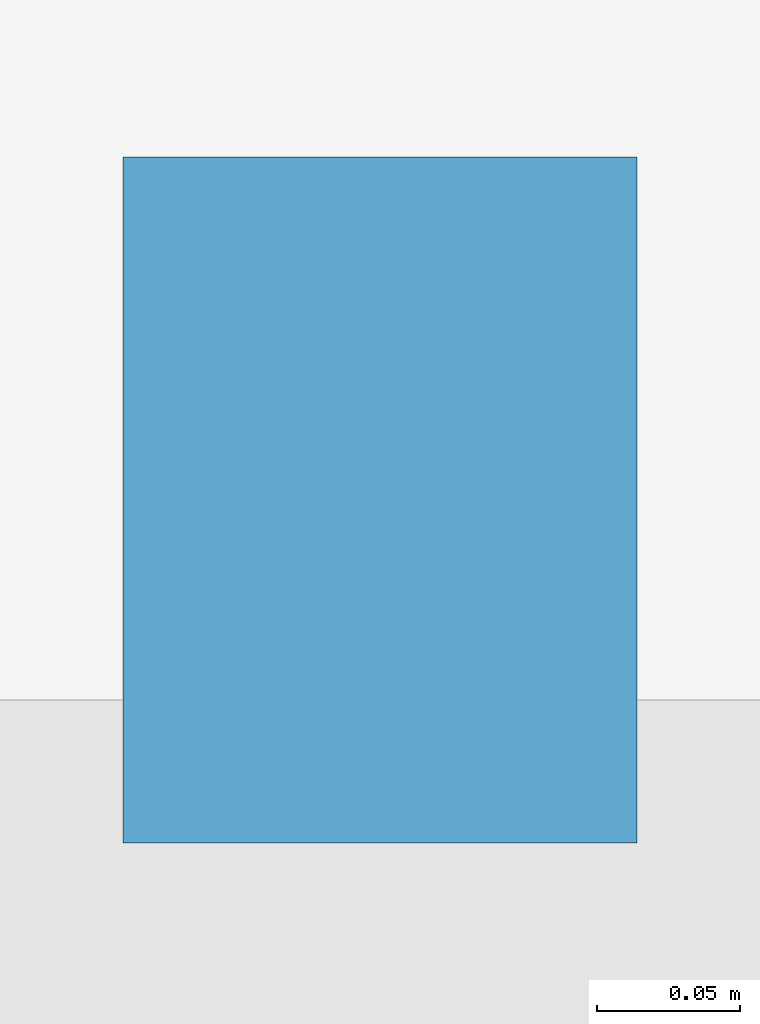
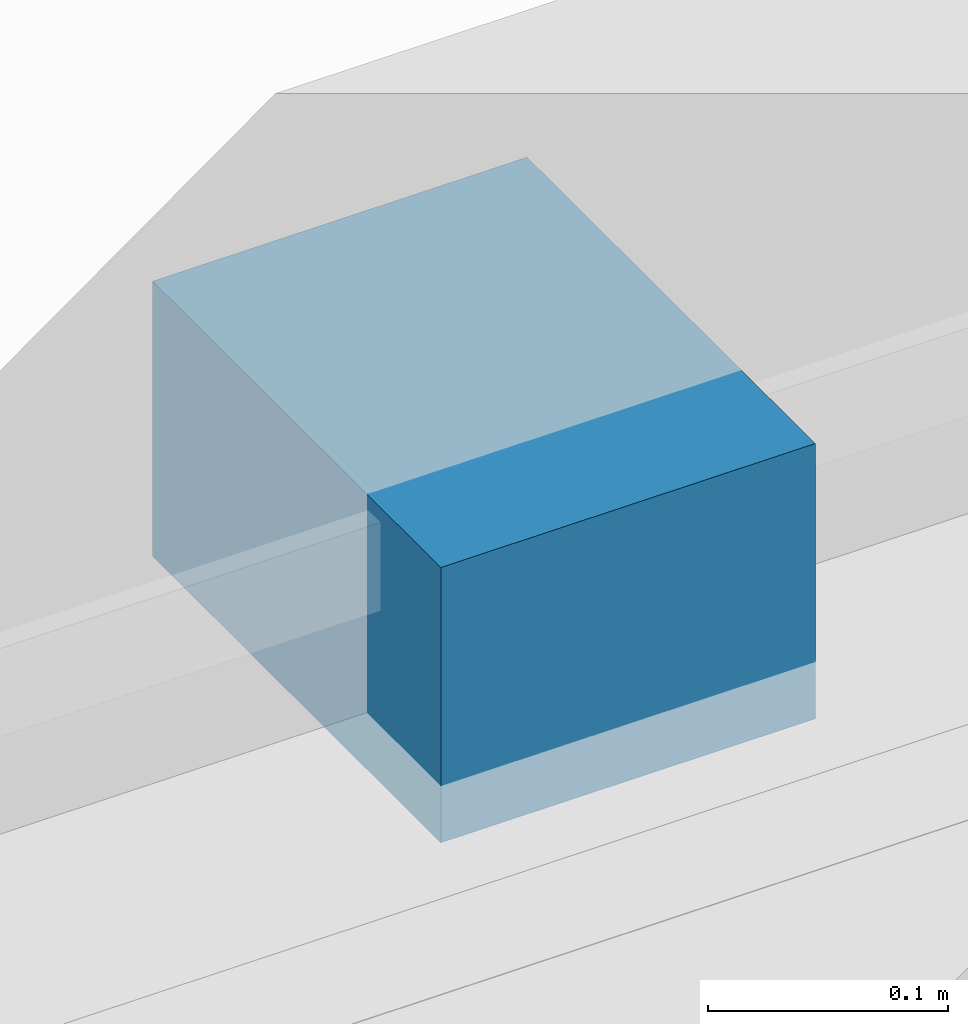
# One storey, part 85 of 98: 1 discrete accessory.
"""IFC4 building model written with IfcOpenShell, lengths in metres."""

from ifc_helpers import new_model, si_unit, direction, frame, origin, origin_2d, place, context, subcontext, project, spatial, rectangle, extrude, material, type_object, element, save


model = new_model("IFC4")

# Units and contexts
model_context = context("Model", 3, precision=1e-05, world=origin(), true_north=direction((0.0, 1.0)))
body_context = subcontext(model_context, "Body", "Model", "MODEL_VIEW")
ifc_project = project(units=[si_unit("LENGTHUNIT", "METRE"), si_unit("AREAUNIT", "SQUARE_METRE"), si_unit("VOLUMEUNIT", "CUBIC_METRE"), si_unit("PLANEANGLEUNIT", "RADIAN"), si_unit("MASSUNIT", "GRAM", prefix="KILO")], contexts=[model_context])

# Site, building, storey
site_placement = place(None, origin())
site = spatial("IfcSite", under=ifc_project, at=site_placement, CompositionType="ELEMENT")
building_placement = place(site_placement, origin())
building = spatial("IfcBuilding", under=site, at=building_placement, Name="Pelvatis Terrace Science Centre", CompositionType="ELEMENT")
storey_placement = place(building_placement, frame((0.0, 0.0, 5.39990234375)))
storey = spatial("IfcBuildingStorey", under=building, at=storey_placement, Name="L01", CompositionType="ELEMENT", Elevation=5.39990234375)

# Discrete accessory
ifc_material = material(Name="Structural steel S355", Category="steel")
discrete_accessory_type = type_object("IfcDiscreteAccessoryType", Name="BRK-STL-01", PredefinedType="BRACKET", material=ifc_material)
discrete_accessory_placement = place(storey_placement, frame((126.39990234375, 116.822509765625, 3.5)))
element("IfcDiscreteAccessory", 1, at=discrete_accessory_placement, inside=storey, type_object=discrete_accessory_type, Name="Facade shading bracket BRK-WIN-L01-038", PredefinedType="BRACKET", context=body_context, shape_type="SweptSolid", body=[
    extrude(rectangle(XDim=0.18, YDim=0.24, at=origin_2d()), origin(), (0.0, 0.0, 1.0), 0.139892578125),
])

save(model, "model.ifc")
